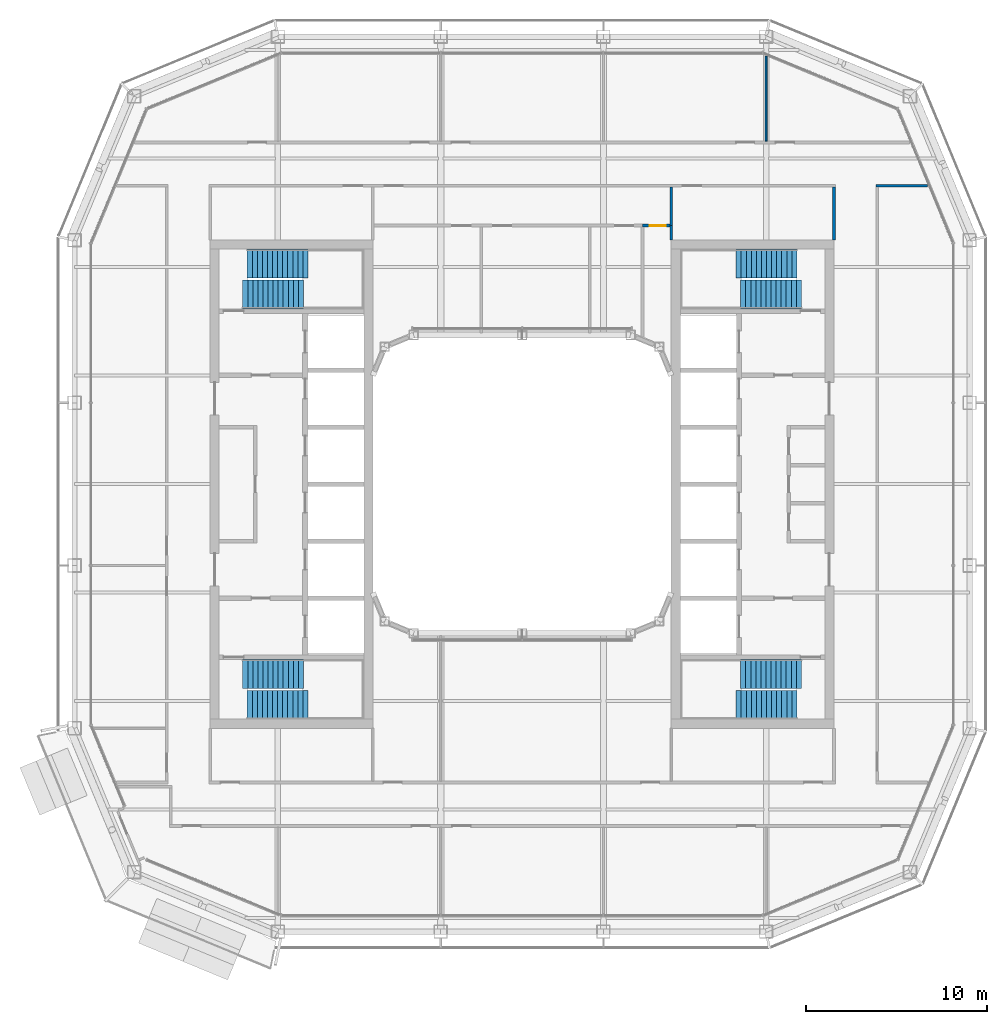
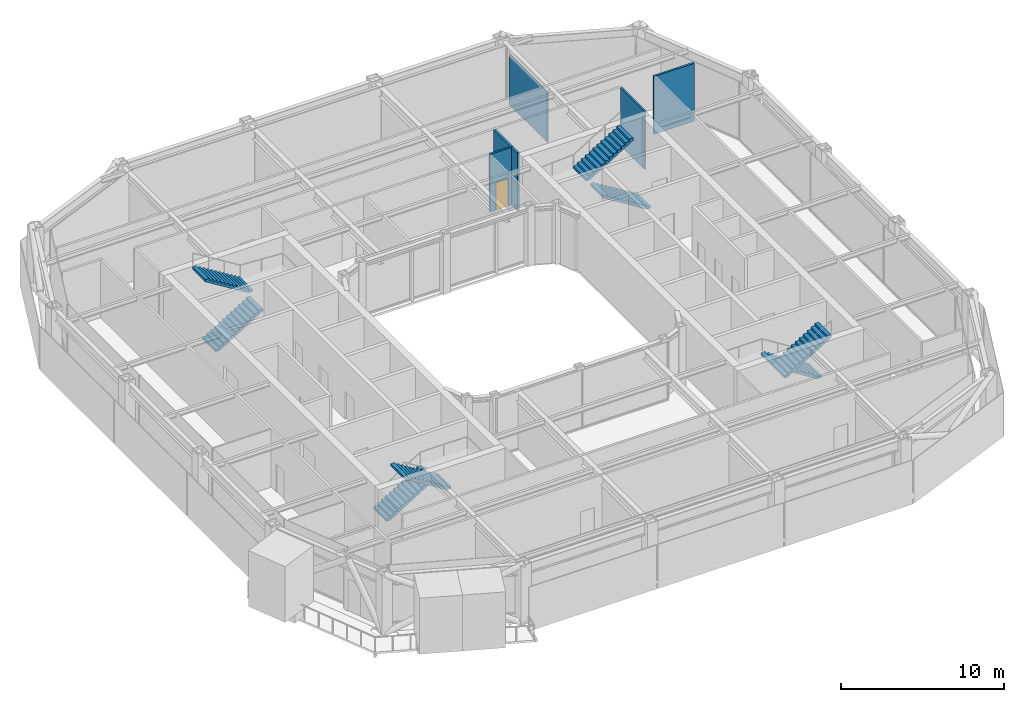
# One storey, part 13 of 20: 8 stair flights, 6 walls, 1 door, 1 opening, 4 elements without a shape of their own.
"""IFC4 building model written with IfcOpenShell, lengths in metres."""

from ifc_helpers import new_model, si_unit, direction, frame, frame_2d, origin, place, context, subcontext, project, spatial, polyline, rectangle, outline, extrude, material, layer, layer_set, type_object, element, fill, aggregate, save


model = new_model("IFC4")

# Units and contexts
model_context = context("Model", 3, precision=1e-05, world=origin(), true_north=direction((0.0, 1.0)))
body_context = subcontext(model_context, "Body", "Model", "MODEL_VIEW")
ifc_project = project(units=[si_unit("LENGTHUNIT", "METRE"), si_unit("AREAUNIT", "SQUARE_METRE"), si_unit("VOLUMEUNIT", "CUBIC_METRE"), si_unit("PLANEANGLEUNIT", "RADIAN"), si_unit("MASSUNIT", "GRAM", prefix="KILO")], contexts=[model_context])

# Site, building, storey
site_placement = place(None, origin())
site = spatial("IfcSite", under=ifc_project, at=site_placement, CompositionType="ELEMENT")
building_placement = place(site_placement, origin())
building = spatial("IfcBuilding", under=site, at=building_placement, Name="Siwar Civic Tower", CompositionType="ELEMENT")
storey_placement = place(building_placement, frame((0.0, 0.0, 316.699951171875)))
storey = spatial("IfcBuildingStorey", under=building, at=storey_placement, Name="L68", CompositionType="ELEMENT", Elevation=316.699951171875)

# Wall, opening, door
ifc_material_1 = material(Name="Gypsum board on steel studs", Category="steel")
ifc_layer_1 = layer(ifc_material_1, 0.14990234375)
ifc_layer_set_1 = layer_set([ifc_layer_1], Name="Gypsum board on steel studs")
wall_type_1 = type_object("IfcWallType", Name="COMPARTMENT PARTITION 150 EI 60", PredefinedType="PARTITIONING", material=ifc_layer_set_1)
wall_1_placement = place(storey_placement, frame((6.659912109375, 14.300048828125, 0.0), z_axis=(0.0, 0.0, 1.0), x_axis=(1.0, 0.0, 0.0)))
wall_1 = element("IfcWall", 1, at=wall_1_placement, inside=storey, type_object=wall_type_1, Name="L68/wall/P09", PredefinedType="PARTITIONING", context=body_context, shape_type="SweptSolid", body=[
    extrude(rectangle(XDim=1.51513671875, YDim=0.14990234375, at=frame_2d((0.757568359375, 0.0))), origin(), (0.0, 0.0, 1.0), 4.35009765625),
])
opening_placement = place(wall_1_placement, frame((0.39990234375, 0.0, 0.0)))
opening = element("IfcOpeningElement", 2, at=opening_placement, cuts=wall_1, Name="Opening D4", PredefinedType="OPENING", context=body_context, shape_type="SweptSolid", body=[
    extrude(rectangle(XDim=0.89990234375, YDim=2.10009765625, at=frame_2d((0.449951171875, 1.050048828125))), frame((0.0, 0.0849609375, 0.0), z_axis=(0.0, -1.0, 0.0), x_axis=(1.0, 0.0, 0.0)), (0.0, 0.0, 1.0), 0.169921875),
])
ifc_material_2 = material(Name="Timber, painted", Category="wood")
door_type = type_object("IfcDoorType", Name="DOOR 900 X 2100 FD60", OperationType="SINGLE_SWING_LEFT", PredefinedType="DOOR", material=ifc_material_2)
door_placement = place(opening_placement, origin())
door = element("IfcDoor", 3, at=door_placement, inside=storey, type_object=door_type, Name="L68-D15", OperationType="SINGLE_SWING_LEFT", OverallHeight=2.10009765625, OverallWidth=0.89990234375, PredefinedType="DOOR", context=body_context, shape_type="SweptSolid", body=[
    extrude(rectangle(XDim=0.89990234375, YDim=2.10009765625, at=frame_2d((0.449951171875, 1.050048828125))), frame((0.0, 0.02490234375, 0.0), z_axis=(0.0, -1.0, 0.0), x_axis=(1.0, 0.0, 0.0)), (0.0, 0.0, 1.0), 0.050048828125),
])
fill(opening, door)

# Walls
wall_2_placement = place(storey_placement, frame((8.25, 13.5, 0.0), z_axis=(0.0, 0.0, 1.0), x_axis=(0.0, 1.0, 0.0)))
element("IfcWall", 4, at=wall_2_placement, inside=storey, type_object=wall_type_1, Name="L68/wall/P32", PredefinedType="PARTITIONING", context=body_context, shape_type="SweptSolid", body=[
    extrude(rectangle(XDim=0.800048828125, YDim=0.14990234375, at=frame_2d((0.39990234375, 0.0))), origin(), (0.0, 0.0, 1.0), 4.35009765625),
])
ifc_material_3 = material(Name="Gypsum board on steel studs", Category="steel")
ifc_layer_2 = layer(ifc_material_3, 0.14990234375)
ifc_layer_set_2 = layer_set([ifc_layer_2], Name="Gypsum board on steel studs")
wall_type_2 = type_object("IfcWallType", Name="CORRIDOR PARTITION 150 EI 30", PredefinedType="PARTITIONING", material=ifc_layer_set_2)
wall_3_placement = place(storey_placement, frame((19.574951171875, 16.5, 0.0), z_axis=(0.0, 0.0, 1.0), x_axis=(1.0, 0.0, 0.0)))
element("IfcWall", 5, at=wall_3_placement, inside=storey, type_object=wall_type_2, Name="L68/wall/P12", PredefinedType="PARTITIONING", context=body_context, shape_type="SweptSolid", body=[
    extrude(rectangle(XDim=2.861083984375, YDim=0.14990234375, at=frame_2d((1.4306640625, 0.0))), origin(), (0.0, 0.0, 1.0), 4.35009765625),
])
wall_4_placement = place(storey_placement, frame((8.25, 14.300048828125, 0.0), z_axis=(0.0, 0.0, 1.0), x_axis=(0.0, 1.0, 0.0)))
element("IfcWall", 6, at=wall_4_placement, inside=storey, type_object=wall_type_2, Name="L68/wall/P31", PredefinedType="PARTITIONING", context=body_context, shape_type="SweptSolid", body=[
    extrude(rectangle(XDim=2.125, YDim=0.14990234375, at=frame_2d((1.0625, 0.0))), origin(), (0.0, 0.0, 1.0), 4.35009765625),
])
wall_5_placement = place(storey_placement, frame((17.25, 13.5, 0.0), z_axis=(0.0, 0.0, 1.0), x_axis=(0.0, 1.0, 0.0)))
element("IfcWall", 7, at=wall_5_placement, inside=storey, type_object=wall_type_2, Name="L68/wall/P36", PredefinedType="PARTITIONING", context=body_context, shape_type="SweptSolid", body=[
    extrude(rectangle(XDim=2.925048828125, YDim=0.14990234375, at=frame_2d((1.46240234375, 0.0))), origin(), (0.0, 0.0, 1.0), 4.35009765625),
])
ifc_material_4 = material(Name="Gypsum board on steel studs", Category="steel")
ifc_layer_3 = layer(ifc_material_4, 0.10009765625)
ifc_layer_set_3 = layer_set([ifc_layer_3], Name="Gypsum board on steel studs")
wall_type_3 = type_object("IfcWallType", Name="PARTITION 100 GYPSUM", PredefinedType="PARTITIONING", material=ifc_layer_set_3)
wall_6_placement = place(storey_placement, frame((13.5, 18.97509765625, 0.0), z_axis=(0.0, 0.0, 1.0), x_axis=(0.0, 1.0, 0.0)))
element("IfcWall", 8, at=wall_6_placement, inside=storey, type_object=wall_type_3, Name="L68/wall/P34", PredefinedType="PARTITIONING", context=body_context, shape_type="SweptSolid", body=[
    extrude(rectangle(XDim=4.702880859375, YDim=0.10009765625, at=frame_2d((2.3515625, 0.0))), origin(), (0.0, 0.0, 1.0), 3.75),
])

# Stair, stair flights
ifc_material_5 = material(Name="Concrete C40/50", Category="concrete")
stair_type = type_object("IfcStairType", Name="CORE-STAIR", PredefinedType="TWO_STRAIGHT_RUN_STAIR", material=ifc_material_5)
stair_1_placement = place(storey_placement, origin())
stair_1 = element("IfcStair", 9, at=stair_1_placement, inside=storey, type_object=stair_type, Name="Exit stair ST1", PredefinedType="TWO_STRAIGHT_RUN_STAIR")
ifc_material_6 = material(Name="Concrete C40/50", Category="concrete")
stair_flight_type = type_object("IfcStairFlightType", Name="CORE-STAIR-FLIGHT", PredefinedType="STRAIGHT", material=ifc_material_6)
stair_flight_1_placement = place(storey_placement, frame((-15.449951171875, 10.5, 0.0), z_axis=(0.0, 0.0, 1.0), x_axis=(1.0, 0.0, 0.0)))
stair_flight_1 = element("IfcStairFlight", 10, at=stair_flight_1_placement, type_object=stair_flight_type, Name="ST1 flight 1", NumberOfRisers=13, NumberOfTreads=12, PredefinedType="STRAIGHT", RiserHeight=0.173076923, TreadLength=0.28, context=body_context, shape_type="SweptSolid", body=[
    extrude(outline(polyline([(0.0, 0.0), (0.0, 0.173095703125), (0.280029296875, 0.173095703125), (0.280029296875, 0.34619140625), (0.56005859375, 0.34619140625), (0.56005859375, 0.519287109375), (0.840087890625, 0.519287109375), (0.840087890625, 0.6923828125), (1.1201171875, 0.6923828125), (1.1201171875, 0.865478515625), (1.39990234375, 0.865478515625), (1.39990234375, 1.03857421875), (1.679931640625, 1.03857421875), (1.679931640625, 1.21142578125), (1.9599609375, 1.21142578125), (1.9599609375, 1.384521484375), (2.239990234375, 1.384521484375), (2.239990234375, 1.5576171875), (2.52001953125, 1.5576171875), (2.52001953125, 1.730712890625), (2.800048828125, 1.730712890625), (2.800048828125, 1.90380859375), (3.080078125, 1.90380859375), (3.080078125, 2.076904296875), (3.360107421875, 2.076904296875), (3.360107421875, 2.25), (3.360107421875, 1.900634765625), (0.28515625, 0.0), (0.0, 0.0)])), frame((0.0, 0.800048828125, 0.0), z_axis=(0.0, -1.0, 0.0), x_axis=(1.0, 0.0, 0.0)), (0.0, 0.0, 1.0), 1.60009765625),
])
stair_flight_2_placement = place(storey_placement, frame((-11.840087890625, 12.199951171875, 2.25), z_axis=(0.0, 0.0, 1.0), x_axis=(-1.0, 0.0, 0.0)))
stair_flight_2 = element("IfcStairFlight", 11, at=stair_flight_2_placement, type_object=stair_flight_type, Name="ST1 flight 2", NumberOfRisers=13, NumberOfTreads=12, PredefinedType="STRAIGHT", RiserHeight=0.173076923, TreadLength=0.28, context=body_context, shape_type="SweptSolid", body=[
    extrude(outline(polyline([(0.0, 0.0), (0.0, 0.173095703125), (0.280029296875, 0.173095703125), (0.280029296875, 0.34619140625), (0.56005859375, 0.34619140625), (0.56005859375, 0.519287109375), (0.840087890625, 0.519287109375), (0.840087890625, 0.6923828125), (1.1201171875, 0.6923828125), (1.1201171875, 0.865478515625), (1.39990234375, 0.865478515625), (1.39990234375, 1.03857421875), (1.679931640625, 1.03857421875), (1.679931640625, 1.21142578125), (1.9599609375, 1.21142578125), (1.9599609375, 1.384521484375), (2.239990234375, 1.384521484375), (2.239990234375, 1.5576171875), (2.52001953125, 1.5576171875), (2.52001953125, 1.730712890625), (2.800048828125, 1.730712890625), (2.800048828125, 1.90380859375), (3.080078125, 1.90380859375), (3.080078125, 2.076904296875), (3.360107421875, 2.076904296875), (3.360107421875, 2.25), (3.360107421875, 1.900634765625), (0.28515625, 0.0), (0.0, 0.0)])), frame((0.0, 0.800048828125, 0.0), z_axis=(0.0, -1.0, 0.0), x_axis=(1.0, 0.0, 0.0)), (0.0, 0.0, 1.0), 1.60009765625),
])
aggregate(stair_1, [stair_flight_1, stair_flight_2])

stair_2_placement = place(storey_placement, origin())
stair_2 = element("IfcStair", 12, at=stair_2_placement, inside=storey, type_object=stair_type, Name="Exit stair ST2", PredefinedType="TWO_STRAIGHT_RUN_STAIR")
stair_flight_3_placement = place(storey_placement, frame((-15.449951171875, -10.5, 0.0), z_axis=(0.0, 0.0, 1.0), x_axis=(1.0, 0.0, 0.0)))
stair_flight_3 = element("IfcStairFlight", 13, at=stair_flight_3_placement, type_object=stair_flight_type, Name="ST2 flight 1", NumberOfRisers=13, NumberOfTreads=12, PredefinedType="STRAIGHT", RiserHeight=0.173076923, TreadLength=0.28, context=body_context, shape_type="SweptSolid", body=[
    extrude(outline(polyline([(0.0, 0.0), (0.0, 0.173095703125), (0.280029296875, 0.173095703125), (0.280029296875, 0.34619140625), (0.56005859375, 0.34619140625), (0.56005859375, 0.519287109375), (0.840087890625, 0.519287109375), (0.840087890625, 0.6923828125), (1.1201171875, 0.6923828125), (1.1201171875, 0.865478515625), (1.39990234375, 0.865478515625), (1.39990234375, 1.03857421875), (1.679931640625, 1.03857421875), (1.679931640625, 1.21142578125), (1.9599609375, 1.21142578125), (1.9599609375, 1.384521484375), (2.239990234375, 1.384521484375), (2.239990234375, 1.5576171875), (2.52001953125, 1.5576171875), (2.52001953125, 1.730712890625), (2.800048828125, 1.730712890625), (2.800048828125, 1.90380859375), (3.080078125, 1.90380859375), (3.080078125, 2.076904296875), (3.360107421875, 2.076904296875), (3.360107421875, 2.25), (3.360107421875, 1.900634765625), (0.28515625, 0.0), (0.0, 0.0)])), frame((0.0, 0.800048828125, 0.0), z_axis=(0.0, -1.0, 0.0), x_axis=(1.0, 0.0, 0.0)), (0.0, 0.0, 1.0), 1.60009765625),
])
stair_flight_4_placement = place(storey_placement, frame((-11.840087890625, -12.199951171875, 2.25), z_axis=(0.0, 0.0, 1.0), x_axis=(-1.0, 0.0, 0.0)))
stair_flight_4 = element("IfcStairFlight", 14, at=stair_flight_4_placement, type_object=stair_flight_type, Name="ST2 flight 2", NumberOfRisers=13, NumberOfTreads=12, PredefinedType="STRAIGHT", RiserHeight=0.173076923, TreadLength=0.28, context=body_context, shape_type="SweptSolid", body=[
    extrude(outline(polyline([(0.0, 0.0), (0.0, 0.173095703125), (0.280029296875, 0.173095703125), (0.280029296875, 0.34619140625), (0.56005859375, 0.34619140625), (0.56005859375, 0.519287109375), (0.840087890625, 0.519287109375), (0.840087890625, 0.6923828125), (1.1201171875, 0.6923828125), (1.1201171875, 0.865478515625), (1.39990234375, 0.865478515625), (1.39990234375, 1.03857421875), (1.679931640625, 1.03857421875), (1.679931640625, 1.21142578125), (1.9599609375, 1.21142578125), (1.9599609375, 1.384521484375), (2.239990234375, 1.384521484375), (2.239990234375, 1.5576171875), (2.52001953125, 1.5576171875), (2.52001953125, 1.730712890625), (2.800048828125, 1.730712890625), (2.800048828125, 1.90380859375), (3.080078125, 1.90380859375), (3.080078125, 2.076904296875), (3.360107421875, 2.076904296875), (3.360107421875, 2.25), (3.360107421875, 1.900634765625), (0.28515625, 0.0), (0.0, 0.0)])), frame((0.0, 0.800048828125, 0.0), z_axis=(0.0, -1.0, 0.0), x_axis=(1.0, 0.0, 0.0)), (0.0, 0.0, 1.0), 1.60009765625),
])
aggregate(stair_2, [stair_flight_3, stair_flight_4])

stair_3_placement = place(storey_placement, origin())
stair_3 = element("IfcStair", 15, at=stair_3_placement, inside=storey, type_object=stair_type, Name="Exit stair ST3", PredefinedType="TWO_STRAIGHT_RUN_STAIR")
stair_flight_5_placement = place(storey_placement, frame((15.449951171875, 10.5, 0.0), z_axis=(0.0, 0.0, 1.0), x_axis=(-1.0, 0.0, 0.0)))
stair_flight_5 = element("IfcStairFlight", 16, at=stair_flight_5_placement, type_object=stair_flight_type, Name="ST3 flight 1", NumberOfRisers=13, NumberOfTreads=12, PredefinedType="STRAIGHT", RiserHeight=0.173076923, TreadLength=0.28, context=body_context, shape_type="SweptSolid", body=[
    extrude(outline(polyline([(0.0, 0.0), (0.0, 0.173095703125), (0.280029296875, 0.173095703125), (0.280029296875, 0.34619140625), (0.56005859375, 0.34619140625), (0.56005859375, 0.519287109375), (0.840087890625, 0.519287109375), (0.840087890625, 0.6923828125), (1.1201171875, 0.6923828125), (1.1201171875, 0.865478515625), (1.39990234375, 0.865478515625), (1.39990234375, 1.03857421875), (1.679931640625, 1.03857421875), (1.679931640625, 1.21142578125), (1.9599609375, 1.21142578125), (1.9599609375, 1.384521484375), (2.239990234375, 1.384521484375), (2.239990234375, 1.5576171875), (2.52001953125, 1.5576171875), (2.52001953125, 1.730712890625), (2.800048828125, 1.730712890625), (2.800048828125, 1.90380859375), (3.080078125, 1.90380859375), (3.080078125, 2.076904296875), (3.360107421875, 2.076904296875), (3.360107421875, 2.25), (3.360107421875, 1.900634765625), (0.28515625, 0.0), (0.0, 0.0)])), frame((0.0, 0.800048828125, 0.0), z_axis=(0.0, -1.0, 0.0), x_axis=(1.0, 0.0, 0.0)), (0.0, 0.0, 1.0), 1.60009765625),
])
stair_flight_6_placement = place(storey_placement, frame((11.840087890625, 12.199951171875, 2.25), z_axis=(0.0, 0.0, 1.0), x_axis=(1.0, 0.0, 0.0)))
stair_flight_6 = element("IfcStairFlight", 17, at=stair_flight_6_placement, type_object=stair_flight_type, Name="ST3 flight 2", NumberOfRisers=13, NumberOfTreads=12, PredefinedType="STRAIGHT", RiserHeight=0.173076923, TreadLength=0.28, context=body_context, shape_type="SweptSolid", body=[
    extrude(outline(polyline([(0.0, 0.0), (0.0, 0.173095703125), (0.280029296875, 0.173095703125), (0.280029296875, 0.34619140625), (0.56005859375, 0.34619140625), (0.56005859375, 0.519287109375), (0.840087890625, 0.519287109375), (0.840087890625, 0.6923828125), (1.1201171875, 0.6923828125), (1.1201171875, 0.865478515625), (1.39990234375, 0.865478515625), (1.39990234375, 1.03857421875), (1.679931640625, 1.03857421875), (1.679931640625, 1.21142578125), (1.9599609375, 1.21142578125), (1.9599609375, 1.384521484375), (2.239990234375, 1.384521484375), (2.239990234375, 1.5576171875), (2.52001953125, 1.5576171875), (2.52001953125, 1.730712890625), (2.800048828125, 1.730712890625), (2.800048828125, 1.90380859375), (3.080078125, 1.90380859375), (3.080078125, 2.076904296875), (3.360107421875, 2.076904296875), (3.360107421875, 2.25), (3.360107421875, 1.900634765625), (0.28515625, 0.0), (0.0, 0.0)])), frame((0.0, 0.800048828125, 0.0), z_axis=(0.0, -1.0, 0.0), x_axis=(1.0, 0.0, 0.0)), (0.0, 0.0, 1.0), 1.60009765625),
])
aggregate(stair_3, [stair_flight_5, stair_flight_6])

stair_4_placement = place(storey_placement, origin())
stair_4 = element("IfcStair", 18, at=stair_4_placement, inside=storey, type_object=stair_type, Name="Exit stair ST4", PredefinedType="TWO_STRAIGHT_RUN_STAIR")
stair_flight_7_placement = place(storey_placement, frame((15.449951171875, -10.5, 0.0), z_axis=(0.0, 0.0, 1.0), x_axis=(-1.0, 0.0, 0.0)))
stair_flight_7 = element("IfcStairFlight", 19, at=stair_flight_7_placement, type_object=stair_flight_type, Name="ST4 flight 1", NumberOfRisers=13, NumberOfTreads=12, PredefinedType="STRAIGHT", RiserHeight=0.173076923, TreadLength=0.28, context=body_context, shape_type="SweptSolid", body=[
    extrude(outline(polyline([(0.0, 0.0), (0.0, 0.173095703125), (0.280029296875, 0.173095703125), (0.280029296875, 0.34619140625), (0.56005859375, 0.34619140625), (0.56005859375, 0.519287109375), (0.840087890625, 0.519287109375), (0.840087890625, 0.6923828125), (1.1201171875, 0.6923828125), (1.1201171875, 0.865478515625), (1.39990234375, 0.865478515625), (1.39990234375, 1.03857421875), (1.679931640625, 1.03857421875), (1.679931640625, 1.21142578125), (1.9599609375, 1.21142578125), (1.9599609375, 1.384521484375), (2.239990234375, 1.384521484375), (2.239990234375, 1.5576171875), (2.52001953125, 1.5576171875), (2.52001953125, 1.730712890625), (2.800048828125, 1.730712890625), (2.800048828125, 1.90380859375), (3.080078125, 1.90380859375), (3.080078125, 2.076904296875), (3.360107421875, 2.076904296875), (3.360107421875, 2.25), (3.360107421875, 1.900634765625), (0.28515625, 0.0), (0.0, 0.0)])), frame((0.0, 0.800048828125, 0.0), z_axis=(0.0, -1.0, 0.0), x_axis=(1.0, 0.0, 0.0)), (0.0, 0.0, 1.0), 1.60009765625),
])
stair_flight_8_placement = place(storey_placement, frame((11.840087890625, -12.199951171875, 2.25), z_axis=(0.0, 0.0, 1.0), x_axis=(1.0, 0.0, 0.0)))
stair_flight_8 = element("IfcStairFlight", 20, at=stair_flight_8_placement, type_object=stair_flight_type, Name="ST4 flight 2", NumberOfRisers=13, NumberOfTreads=12, PredefinedType="STRAIGHT", RiserHeight=0.173076923, TreadLength=0.28, context=body_context, shape_type="SweptSolid", body=[
    extrude(outline(polyline([(0.0, 0.0), (0.0, 0.173095703125), (0.280029296875, 0.173095703125), (0.280029296875, 0.34619140625), (0.56005859375, 0.34619140625), (0.56005859375, 0.519287109375), (0.840087890625, 0.519287109375), (0.840087890625, 0.6923828125), (1.1201171875, 0.6923828125), (1.1201171875, 0.865478515625), (1.39990234375, 0.865478515625), (1.39990234375, 1.03857421875), (1.679931640625, 1.03857421875), (1.679931640625, 1.21142578125), (1.9599609375, 1.21142578125), (1.9599609375, 1.384521484375), (2.239990234375, 1.384521484375), (2.239990234375, 1.5576171875), (2.52001953125, 1.5576171875), (2.52001953125, 1.730712890625), (2.800048828125, 1.730712890625), (2.800048828125, 1.90380859375), (3.080078125, 1.90380859375), (3.080078125, 2.076904296875), (3.360107421875, 2.076904296875), (3.360107421875, 2.25), (3.360107421875, 1.900634765625), (0.28515625, 0.0), (0.0, 0.0)])), frame((0.0, 0.800048828125, 0.0), z_axis=(0.0, -1.0, 0.0), x_axis=(1.0, 0.0, 0.0)), (0.0, 0.0, 1.0), 1.60009765625),
])
aggregate(stair_4, [stair_flight_7, stair_flight_8])

save(model, "model.ifc")
